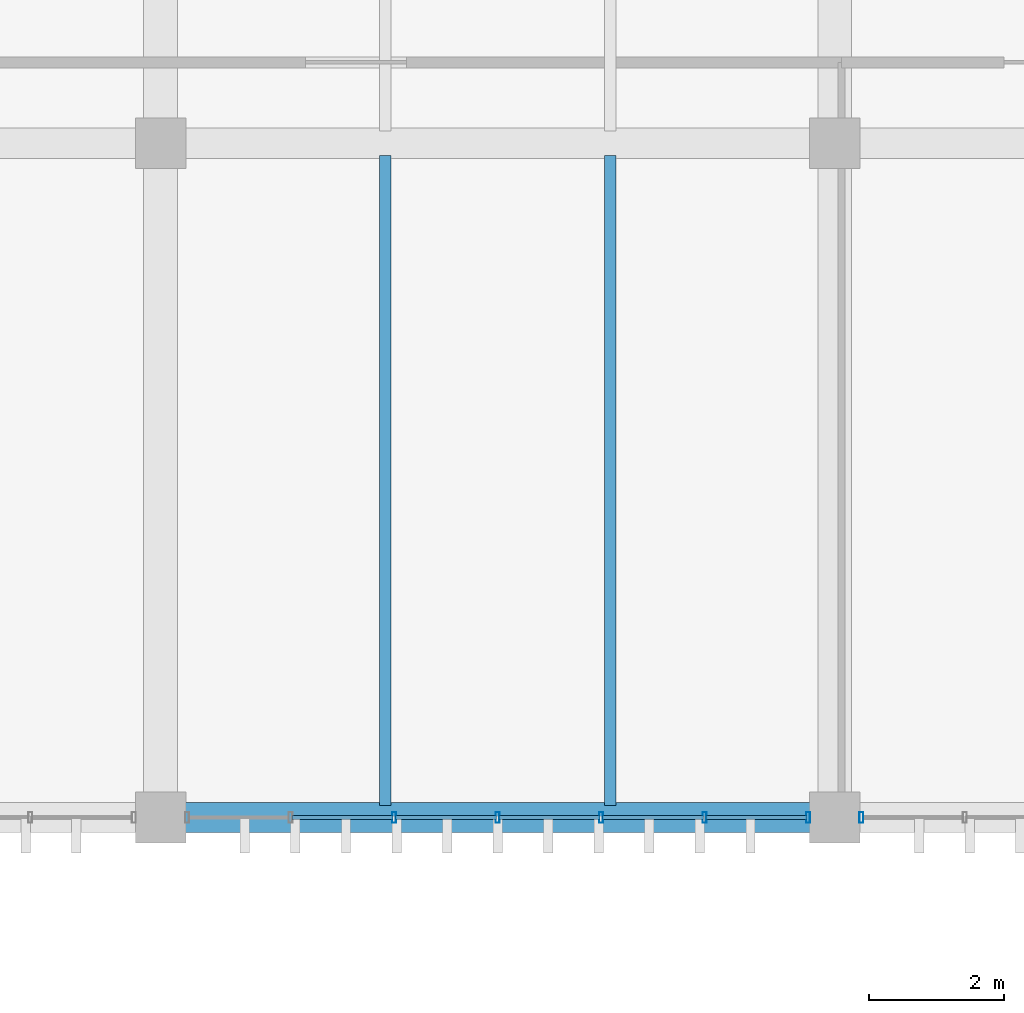
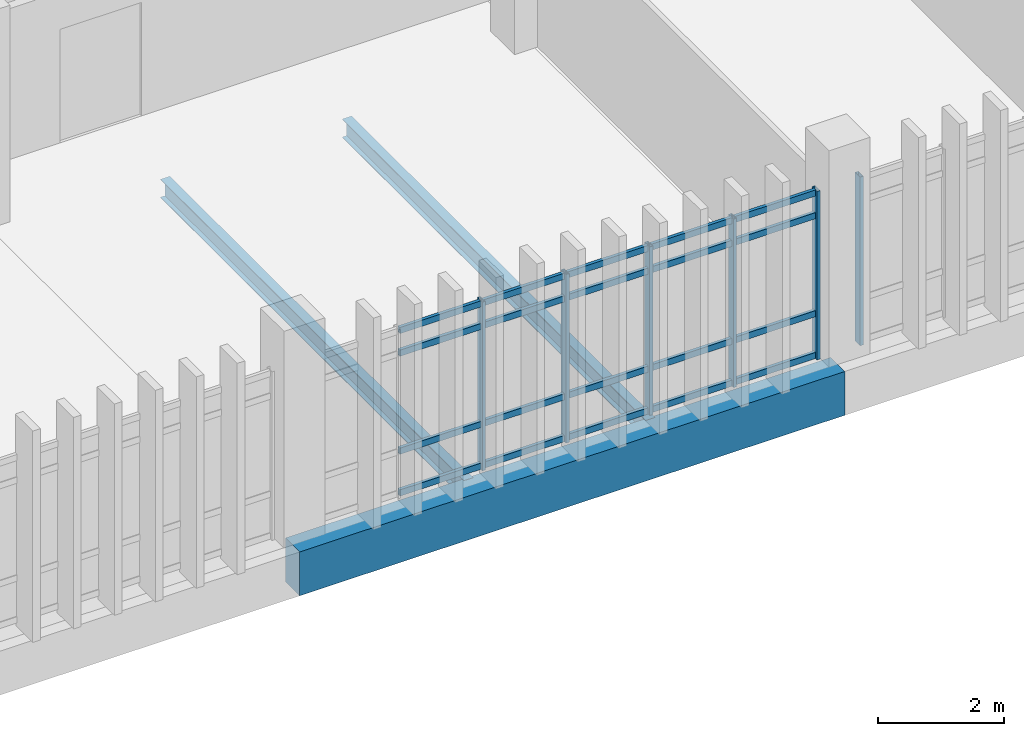
# One storey, part 84 of 161: 26 members, 3 beams, 2 elements without a shape of their own.
"""IFC4 building model written with IfcOpenShell, lengths in metres."""

from ifc_helpers import new_model, si_unit, direction, frame, origin, origin_2d, place, context, subcontext, project, spatial, rectangle, hollow_rectangle, i_section, extrude, material, layer, layer_set, material_profile, profile_set, type_object, element, aggregate, save


model = new_model("IFC4")

# Units and contexts
model_context = context("Model", 3, precision=1e-05, world=origin(), true_north=direction((0.0, 1.0)))
body_context = subcontext(model_context, "Body", "Model", "MODEL_VIEW")
ifc_project = project(units=[si_unit("LENGTHUNIT", "METRE"), si_unit("AREAUNIT", "SQUARE_METRE"), si_unit("VOLUMEUNIT", "CUBIC_METRE"), si_unit("PLANEANGLEUNIT", "RADIAN"), si_unit("MASSUNIT", "GRAM", prefix="KILO")], contexts=[model_context])

# Site, building, storey
site_placement = place(None, origin())
site = spatial("IfcSite", under=ifc_project, at=site_placement, CompositionType="ELEMENT")
building_placement = place(site_placement, origin())
building = spatial("IfcBuilding", under=site, at=building_placement, Name="Mersad Railyard Sports Hall", CompositionType="ELEMENT")
storey_placement = place(building_placement, frame((0.0, 0.0, 4.800048828125)))
storey = spatial("IfcBuildingStorey", under=building, at=storey_placement, Name="L01", CompositionType="ELEMENT", Elevation=4.800048828125)

# Curtain wall, members
ifc_material_1 = material(Name="Aluminium 6063-T6", Category="aluminium")
ifc_layer = layer(ifc_material_1, 0.159912109375)
ifc_layer_set = layer_set([ifc_layer], Name="Aluminium 6063-T6")
curtain_wall_type = type_object("IfcCurtainWallType", Name="ARC-CW-CW38", PredefinedType="USERDEFINED", material=ifc_layer_set)
curtain_wall_1_placement = place(storey_placement, origin())
curtain_wall_1 = element("IfcCurtainWall", 1, at=curtain_wall_1_placement, inside=storey, type_object=curtain_wall_type, Name="Curtain wall CW38-0109", ObjectType="CURTAIN WALL", PredefinedType="USERDEFINED")
ifc_material_profile_1 = material_profile(ifc_material_1, hollow_rectangle(XDim=0.06005859375, YDim=0.159912109375, WallThickness=0.00390625, at=origin_2d()), Name="AL MULLION 60x160x4")
ifc_profile_set_1 = profile_set([ifc_material_profile_1], Name="Aluminium 6063-T6")
member_type_1 = type_object("IfcMemberType", Name="ARC-CW-MUL01", PredefinedType="MULLION", material=ifc_profile_set_1)
member_1_placement = place(storey_placement, frame((110.60498046875, 85.0, -0.02001953125), z_axis=(0.0, 0.0, 1.0), x_axis=(1.0, 0.0, 0.0)))
member_1 = element("IfcMember", 2, at=member_1_placement, type_object=member_type_1, Name="CW38 Mullion 1", PredefinedType="MULLION", context=body_context, shape_type="SweptSolid", body=[
    extrude(hollow_rectangle(XDim=0.06005859375, YDim=0.159912109375, WallThickness=0.00390625, at=origin_2d()), origin(), (0.0, 0.0, 1.0), 3.27001953125),
])
member_2_placement = place(storey_placement, frame((109.070068359375, 85.0, -0.02001953125), z_axis=(0.0, 0.0, 1.0), x_axis=(1.0, 0.0, 0.0)))
member_2 = element("IfcMember", 3, at=member_2_placement, type_object=member_type_1, Name="CW38 Mullion 2", PredefinedType="MULLION", context=body_context, shape_type="SweptSolid", body=[
    extrude(hollow_rectangle(XDim=0.06005859375, YDim=0.159912109375, WallThickness=0.00390625, at=origin_2d()), origin(), (0.0, 0.0, 1.0), 3.27001953125),
])
member_3_placement = place(storey_placement, frame((107.534912109375, 85.0, -0.02001953125), z_axis=(0.0, 0.0, 1.0), x_axis=(1.0, 0.0, 0.0)))
member_3 = element("IfcMember", 4, at=member_3_placement, type_object=member_type_1, Name="CW38 Mullion 3", PredefinedType="MULLION", context=body_context, shape_type="SweptSolid", body=[
    extrude(hollow_rectangle(XDim=0.06005859375, YDim=0.159912109375, WallThickness=0.00390625, at=origin_2d()), origin(), (0.0, 0.0, 1.0), 3.27001953125),
])
member_4_placement = place(storey_placement, frame((106.0, 85.0, -0.02001953125), z_axis=(0.0, 0.0, 1.0), x_axis=(1.0, 0.0, 0.0)))
member_4 = element("IfcMember", 5, at=member_4_placement, type_object=member_type_1, Name="CW38 Mullion 4", PredefinedType="MULLION", context=body_context, shape_type="SweptSolid", body=[
    extrude(hollow_rectangle(XDim=0.06005859375, YDim=0.159912109375, WallThickness=0.00390625, at=origin_2d()), origin(), (0.0, 0.0, 1.0), 3.27001953125),
])
member_5_placement = place(storey_placement, frame((104.465087890625, 85.0, -0.02001953125), z_axis=(0.0, 0.0, 1.0), x_axis=(1.0, 0.0, 0.0)))
member_5 = element("IfcMember", 6, at=member_5_placement, type_object=member_type_1, Name="CW38 Mullion 5", PredefinedType="MULLION", context=body_context, shape_type="SweptSolid", body=[
    extrude(hollow_rectangle(XDim=0.06005859375, YDim=0.159912109375, WallThickness=0.00390625, at=origin_2d()), origin(), (0.0, 0.0, 1.0), 3.27001953125),
])

# Curtain wall, member
curtain_wall_2_placement = place(storey_placement, origin())
curtain_wall_2 = element("IfcCurtainWall", 7, at=curtain_wall_2_placement, inside=storey, type_object=curtain_wall_type, Name="Curtain wall CW38-0110", ObjectType="CURTAIN WALL", PredefinedType="USERDEFINED")
member_6_placement = place(storey_placement, frame((111.39501953125, 85.0, -0.02001953125), z_axis=(0.0, 0.0, 1.0), x_axis=(1.0, 0.0, 0.0)))
member_6 = element("IfcMember", 8, at=member_6_placement, type_object=member_type_1, Name="CW38 Mullion 7", PredefinedType="MULLION", context=body_context, shape_type="SweptSolid", body=[
    extrude(hollow_rectangle(XDim=0.06005859375, YDim=0.159912109375, WallThickness=0.00390625, at=origin_2d()), origin(), (0.0, 0.0, 1.0), 3.27001953125),
])
aggregate(curtain_wall_2, [member_6])

# Member
ifc_material_profile_2 = material_profile(ifc_material_1, hollow_rectangle(XDim=0.06005859375, YDim=0.1201171875, WallThickness=0.00390625, at=origin_2d()), Name="AL TRANSOM 60x120x4")
ifc_profile_set_2 = profile_set([ifc_material_profile_2], Name="Aluminium 6063-T6")
member_type_2 = type_object("IfcMemberType", Name="ARC-CW-TRN01", PredefinedType="USERDEFINED", material=ifc_profile_set_2)
member_7_placement = place(storey_placement, frame((110.5849609375, 85.0, 0.0400390625), z_axis=(-1.0, 0.0, 0.0), x_axis=(0.0, -1.0, 0.0)))
member_7 = element("IfcMember", 9, at=member_7_placement, type_object=member_type_2, Name="CW38 Transom 1-1", ObjectType="TRANSOM", PredefinedType="USERDEFINED", context=body_context, shape_type="SweptSolid", body=[
    extrude(hollow_rectangle(XDim=0.06005859375, YDim=0.1201171875, WallThickness=0.00390625, at=origin_2d()), origin(), (0.0, 0.0, 1.0), 1.494873046875),
])

member_8_placement = place(storey_placement, frame((109.050048828125, 85.0, 0.0400390625), z_axis=(-1.0, 0.0, 0.0), x_axis=(0.0, -1.0, 0.0)))
member_8 = element("IfcMember", 10, at=member_8_placement, type_object=member_type_2, Name="CW38 Transom 1-2", ObjectType="TRANSOM", PredefinedType="USERDEFINED", context=body_context, shape_type="SweptSolid", body=[
    extrude(hollow_rectangle(XDim=0.06005859375, YDim=0.1201171875, WallThickness=0.00390625, at=origin_2d()), origin(), (0.0, 0.0, 1.0), 1.4951171875),
])

member_9_placement = place(storey_placement, frame((107.514892578125, 85.0, 0.0400390625), z_axis=(-1.0, 0.0, 0.0), x_axis=(0.0, -1.0, 0.0)))
member_9 = element("IfcMember", 11, at=member_9_placement, type_object=member_type_2, Name="CW38 Transom 1-3", ObjectType="TRANSOM", PredefinedType="USERDEFINED", context=body_context, shape_type="SweptSolid", body=[
    extrude(hollow_rectangle(XDim=0.06005859375, YDim=0.1201171875, WallThickness=0.00390625, at=origin_2d()), origin(), (0.0, 0.0, 1.0), 1.494873046875),
])

member_10_placement = place(storey_placement, frame((105.97998046875, 85.0, 0.0400390625), z_axis=(-1.0, 0.0, 0.0), x_axis=(0.0, -1.0, 0.0)))
member_10 = element("IfcMember", 12, at=member_10_placement, type_object=member_type_2, Name="CW38 Transom 1-4", ObjectType="TRANSOM", PredefinedType="USERDEFINED", context=body_context, shape_type="SweptSolid", body=[
    extrude(hollow_rectangle(XDim=0.06005859375, YDim=0.1201171875, WallThickness=0.00390625, at=origin_2d()), origin(), (0.0, 0.0, 1.0), 1.494873046875),
])

member_11_placement = place(storey_placement, frame((104.445068359375, 85.0, 0.0400390625), z_axis=(-1.0, 0.0, 0.0), x_axis=(0.0, -1.0, 0.0)))
member_11 = element("IfcMember", 13, at=member_11_placement, type_object=member_type_2, Name="CW38 Transom 1-5", ObjectType="TRANSOM", PredefinedType="USERDEFINED", context=body_context, shape_type="SweptSolid", body=[
    extrude(hollow_rectangle(XDim=0.06005859375, YDim=0.1201171875, WallThickness=0.00390625, at=origin_2d()), origin(), (0.0, 0.0, 1.0), 1.4951171875),
])

member_12_placement = place(storey_placement, frame((110.5849609375, 85.0, 0.849853515625), z_axis=(-1.0, 0.0, 0.0), x_axis=(0.0, -1.0, 0.0)))
member_12 = element("IfcMember", 14, at=member_12_placement, type_object=member_type_2, Name="CW38 Transom 2-1", ObjectType="TRANSOM", PredefinedType="USERDEFINED", context=body_context, shape_type="SweptSolid", body=[
    extrude(hollow_rectangle(XDim=0.06005859375, YDim=0.1201171875, WallThickness=0.00390625, at=origin_2d()), origin(), (0.0, 0.0, 1.0), 1.494873046875),
])

member_13_placement = place(storey_placement, frame((109.050048828125, 85.0, 0.849853515625), z_axis=(-1.0, 0.0, 0.0), x_axis=(0.0, -1.0, 0.0)))
member_13 = element("IfcMember", 15, at=member_13_placement, type_object=member_type_2, Name="CW38 Transom 2-2", ObjectType="TRANSOM", PredefinedType="USERDEFINED", context=body_context, shape_type="SweptSolid", body=[
    extrude(hollow_rectangle(XDim=0.06005859375, YDim=0.1201171875, WallThickness=0.00390625, at=origin_2d()), origin(), (0.0, 0.0, 1.0), 1.4951171875),
])

member_14_placement = place(storey_placement, frame((107.514892578125, 85.0, 0.849853515625), z_axis=(-1.0, 0.0, 0.0), x_axis=(0.0, -1.0, 0.0)))
member_14 = element("IfcMember", 16, at=member_14_placement, type_object=member_type_2, Name="CW38 Transom 2-3", ObjectType="TRANSOM", PredefinedType="USERDEFINED", context=body_context, shape_type="SweptSolid", body=[
    extrude(hollow_rectangle(XDim=0.06005859375, YDim=0.1201171875, WallThickness=0.00390625, at=origin_2d()), origin(), (0.0, 0.0, 1.0), 1.494873046875),
])

member_15_placement = place(storey_placement, frame((105.97998046875, 85.0, 0.849853515625), z_axis=(-1.0, 0.0, 0.0), x_axis=(0.0, -1.0, 0.0)))
member_15 = element("IfcMember", 17, at=member_15_placement, type_object=member_type_2, Name="CW38 Transom 2-4", ObjectType="TRANSOM", PredefinedType="USERDEFINED", context=body_context, shape_type="SweptSolid", body=[
    extrude(hollow_rectangle(XDim=0.06005859375, YDim=0.1201171875, WallThickness=0.00390625, at=origin_2d()), origin(), (0.0, 0.0, 1.0), 1.494873046875),
])

member_16_placement = place(storey_placement, frame((104.445068359375, 85.0, 0.849853515625), z_axis=(-1.0, 0.0, 0.0), x_axis=(0.0, -1.0, 0.0)))
member_16 = element("IfcMember", 18, at=member_16_placement, type_object=member_type_2, Name="CW38 Transom 2-5", ObjectType="TRANSOM", PredefinedType="USERDEFINED", context=body_context, shape_type="SweptSolid", body=[
    extrude(hollow_rectangle(XDim=0.06005859375, YDim=0.1201171875, WallThickness=0.00390625, at=origin_2d()), origin(), (0.0, 0.0, 1.0), 1.4951171875),
])

member_17_placement = place(storey_placement, frame((110.5849609375, 85.0, 2.75), z_axis=(-1.0, 0.0, 0.0), x_axis=(0.0, -1.0, 0.0)))
member_17 = element("IfcMember", 19, at=member_17_placement, type_object=member_type_2, Name="CW38 Transom 3-1", ObjectType="TRANSOM", PredefinedType="USERDEFINED", context=body_context, shape_type="SweptSolid", body=[
    extrude(hollow_rectangle(XDim=0.06005859375, YDim=0.1201171875, WallThickness=0.00390625, at=origin_2d()), origin(), (0.0, 0.0, 1.0), 1.494873046875),
])

member_18_placement = place(storey_placement, frame((109.050048828125, 85.0, 2.75), z_axis=(-1.0, 0.0, 0.0), x_axis=(0.0, -1.0, 0.0)))
member_18 = element("IfcMember", 20, at=member_18_placement, type_object=member_type_2, Name="CW38 Transom 3-2", ObjectType="TRANSOM", PredefinedType="USERDEFINED", context=body_context, shape_type="SweptSolid", body=[
    extrude(hollow_rectangle(XDim=0.06005859375, YDim=0.1201171875, WallThickness=0.00390625, at=origin_2d()), origin(), (0.0, 0.0, 1.0), 1.4951171875),
])

member_19_placement = place(storey_placement, frame((107.514892578125, 85.0, 2.75), z_axis=(-1.0, 0.0, 0.0), x_axis=(0.0, -1.0, 0.0)))
member_19 = element("IfcMember", 21, at=member_19_placement, type_object=member_type_2, Name="CW38 Transom 3-3", ObjectType="TRANSOM", PredefinedType="USERDEFINED", context=body_context, shape_type="SweptSolid", body=[
    extrude(hollow_rectangle(XDim=0.06005859375, YDim=0.1201171875, WallThickness=0.00390625, at=origin_2d()), origin(), (0.0, 0.0, 1.0), 1.494873046875),
])

member_20_placement = place(storey_placement, frame((105.97998046875, 85.0, 2.75), z_axis=(-1.0, 0.0, 0.0), x_axis=(0.0, -1.0, 0.0)))
member_20 = element("IfcMember", 22, at=member_20_placement, type_object=member_type_2, Name="CW38 Transom 3-4", ObjectType="TRANSOM", PredefinedType="USERDEFINED", context=body_context, shape_type="SweptSolid", body=[
    extrude(hollow_rectangle(XDim=0.06005859375, YDim=0.1201171875, WallThickness=0.00390625, at=origin_2d()), origin(), (0.0, 0.0, 1.0), 1.494873046875),
])

member_21_placement = place(storey_placement, frame((104.445068359375, 85.0, 2.75), z_axis=(-1.0, 0.0, 0.0), x_axis=(0.0, -1.0, 0.0)))
member_21 = element("IfcMember", 23, at=member_21_placement, type_object=member_type_2, Name="CW38 Transom 3-5", ObjectType="TRANSOM", PredefinedType="USERDEFINED", context=body_context, shape_type="SweptSolid", body=[
    extrude(hollow_rectangle(XDim=0.06005859375, YDim=0.1201171875, WallThickness=0.00390625, at=origin_2d()), origin(), (0.0, 0.0, 1.0), 1.4951171875),
])

member_22_placement = place(storey_placement, frame((110.5849609375, 85.0, 3.18994140625), z_axis=(-1.0, 0.0, 0.0), x_axis=(0.0, -1.0, 0.0)))
member_22 = element("IfcMember", 24, at=member_22_placement, type_object=member_type_2, Name="CW38 Transom 4-1", ObjectType="TRANSOM", PredefinedType="USERDEFINED", context=body_context, shape_type="SweptSolid", body=[
    extrude(hollow_rectangle(XDim=0.06005859375, YDim=0.1201171875, WallThickness=0.00390625, at=origin_2d()), origin(), (0.0, 0.0, 1.0), 1.494873046875),
])

member_23_placement = place(storey_placement, frame((109.050048828125, 85.0, 3.18994140625), z_axis=(-1.0, 0.0, 0.0), x_axis=(0.0, -1.0, 0.0)))
member_23 = element("IfcMember", 25, at=member_23_placement, type_object=member_type_2, Name="CW38 Transom 4-2", ObjectType="TRANSOM", PredefinedType="USERDEFINED", context=body_context, shape_type="SweptSolid", body=[
    extrude(hollow_rectangle(XDim=0.06005859375, YDim=0.1201171875, WallThickness=0.00390625, at=origin_2d()), origin(), (0.0, 0.0, 1.0), 1.4951171875),
])

member_24_placement = place(storey_placement, frame((107.514892578125, 85.0, 3.18994140625), z_axis=(-1.0, 0.0, 0.0), x_axis=(0.0, -1.0, 0.0)))
member_24 = element("IfcMember", 26, at=member_24_placement, type_object=member_type_2, Name="CW38 Transom 4-3", ObjectType="TRANSOM", PredefinedType="USERDEFINED", context=body_context, shape_type="SweptSolid", body=[
    extrude(hollow_rectangle(XDim=0.06005859375, YDim=0.1201171875, WallThickness=0.00390625, at=origin_2d()), origin(), (0.0, 0.0, 1.0), 1.494873046875),
])

member_25_placement = place(storey_placement, frame((105.97998046875, 85.0, 3.18994140625), z_axis=(-1.0, 0.0, 0.0), x_axis=(0.0, -1.0, 0.0)))
member_25 = element("IfcMember", 27, at=member_25_placement, type_object=member_type_2, Name="CW38 Transom 4-4", ObjectType="TRANSOM", PredefinedType="USERDEFINED", context=body_context, shape_type="SweptSolid", body=[
    extrude(hollow_rectangle(XDim=0.06005859375, YDim=0.1201171875, WallThickness=0.00390625, at=origin_2d()), origin(), (0.0, 0.0, 1.0), 1.494873046875),
])

member_26_placement = place(storey_placement, frame((104.445068359375, 85.0, 3.18994140625), z_axis=(-1.0, 0.0, 0.0), x_axis=(0.0, -1.0, 0.0)))
member_26 = element("IfcMember", 28, at=member_26_placement, type_object=member_type_2, Name="CW38 Transom 4-5", ObjectType="TRANSOM", PredefinedType="USERDEFINED", context=body_context, shape_type="SweptSolid", body=[
    extrude(hollow_rectangle(XDim=0.06005859375, YDim=0.1201171875, WallThickness=0.00390625, at=origin_2d()), origin(), (0.0, 0.0, 1.0), 1.4951171875),
])

aggregate(curtain_wall_1, [member_1, member_2, member_3, member_4, member_5, member_7, member_8, member_9, member_10, member_11, member_12, member_13, member_14, member_15, member_16, member_17, member_18, member_19, member_20, member_21, member_22, member_23, member_24, member_25, member_26])

# Beams
ifc_material_2 = material(Name="Concrete C40/50", Category="concrete")
ifc_material_profile_3 = material_profile(ifc_material_2, rectangle(XDim=0.449951171875, YDim=0.85009765625, at=origin_2d()), Name="RC 450x850")
ifc_profile_set_3 = profile_set([ifc_material_profile_3], Name="Concrete C40/50")
beam_type_1 = type_object("IfcBeamType", Name="STR-BM-B02", PredefinedType="BEAM", material=ifc_profile_set_3)
beam_placement = place(storey_placement, frame((101.0, 85.0, -0.72509765625), z_axis=(1.0, 0.0, 0.0), x_axis=(0.0, 1.0, 0.0)))
element("IfcBeam", 29, at=beam_placement, inside=storey, type_object=beam_type_1, Name="Beam B02-0929", PredefinedType="BEAM", context=body_context, shape_type="SweptSolid", body=[
    extrude(rectangle(XDim=0.449951171875, YDim=0.85009765625, at=origin_2d()), origin(), (0.0, 0.0, 1.0), 10.0),
])
ifc_material_3 = material(Name="Steel S355", Category="steel")
ifc_material_profile_4 = material_profile(ifc_material_3, i_section(OverallWidth=0.169921875, OverallDepth=0.360107421875, WebThickness=0.008056640625, FlangeThickness=0.0126953125, at=origin_2d()), Name="IPE 360")
ifc_profile_set_4 = profile_set([ifc_material_profile_4], Name="Steel S355")
beam_type_2 = type_object("IfcBeamType", Name="STR-BM-J03", PredefinedType="JOIST", material=ifc_profile_set_4)
for number, where, z_axis, x_axis, name in (
    (30, (104.3330078125, 85.179931640625, -0.47998046875), (0.0, 1.0, 0.0), (-1.0, 0.0, 0.0), "Beam J03-1033"),
    (31, (107.6669921875, 85.179931640625, -0.47998046875), (0.0, 1.0, 0.0), (-1.0, 0.0, 0.0), "Beam J03-1034"),
):
    element("IfcBeam", number, at=place(storey_placement, frame(where, z_axis=z_axis, x_axis=x_axis)), inside=storey, type_object=beam_type_2, Name=name, PredefinedType="JOIST", context=body_context, shape_type="SweptSolid", body=[
        extrude(i_section(OverallWidth=0.169921875, OverallDepth=0.360107421875, WebThickness=0.008056640625, FlangeThickness=0.0126953125, at=origin_2d()), origin(), (0.0, 0.0, 1.0), 9.64013671875),
    ])

save(model, "model.ifc")
